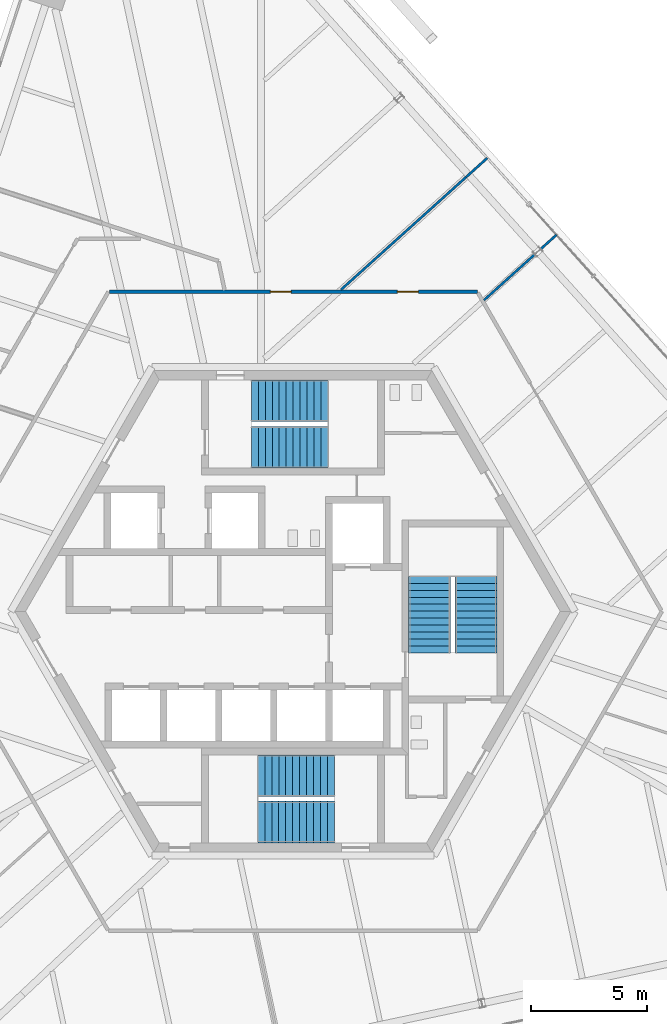
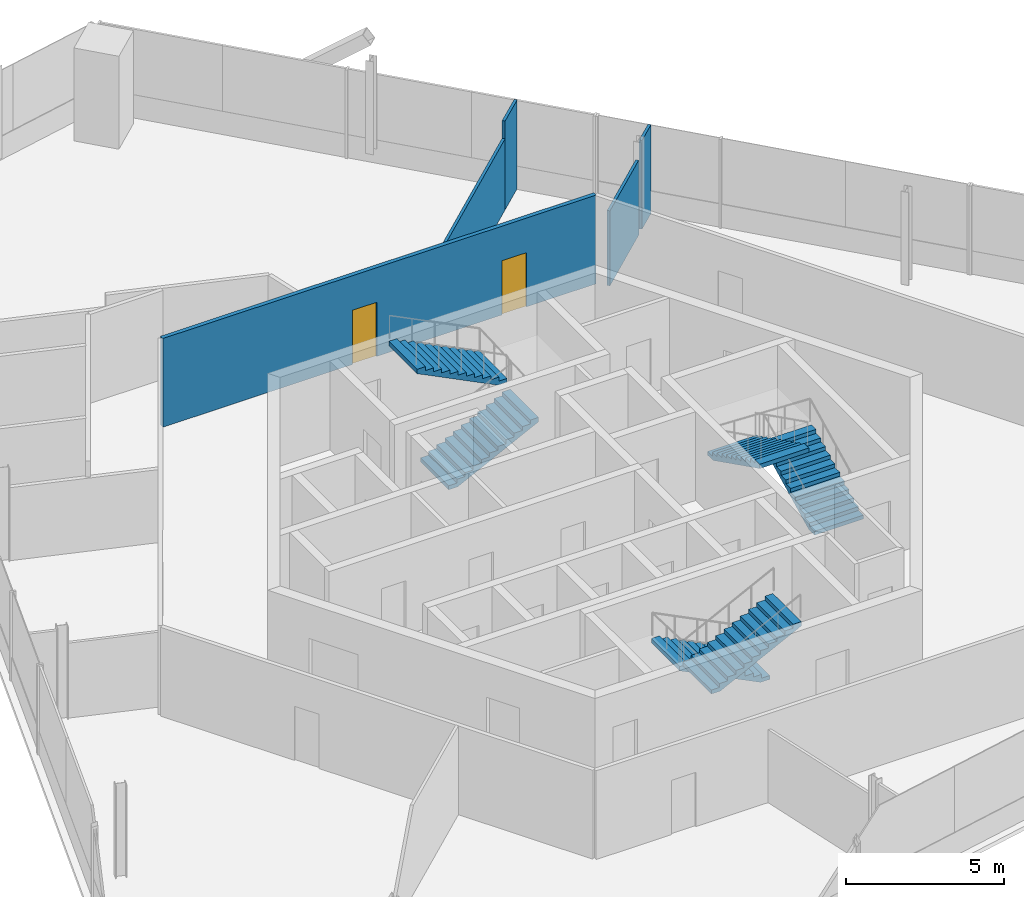
# One storey, part 12 of 14: 6 stair flights, 5 walls, 2 doors, 2 openings, 3 elements without a shape of their own.
"""IFC4 building model written with IfcOpenShell, lengths in metres."""

from ifc_helpers import new_model, si_unit, direction, frame, frame_2d, origin, place, context, subcontext, project, spatial, polyline, rectangle, outline, extrude, source, transform, mapped, material, layer, layer_set, type_object, element, fill, aggregate, save


model = new_model("IFC4")

# Units and contexts
model_context = context("Model", 3, precision=1e-05, world=origin(), true_north=direction((0.0, 1.0)))
body_context = subcontext(model_context, "Body", "Model", "MODEL_VIEW")
ifc_project = project(units=[si_unit("LENGTHUNIT", "METRE"), si_unit("AREAUNIT", "SQUARE_METRE"), si_unit("VOLUMEUNIT", "CUBIC_METRE"), si_unit("PLANEANGLEUNIT", "RADIAN"), si_unit("MASSUNIT", "GRAM", prefix="KILO")], contexts=[model_context])

# Site, building, storey
site_placement = place(None, origin())
site = spatial("IfcSite", under=ifc_project, at=site_placement, CompositionType="ELEMENT")
building_placement = place(site_placement, origin())
building = spatial("IfcBuilding", under=site, at=building_placement, Name="Triune Harvest Tower", CompositionType="ELEMENT")
storey_placement = place(building_placement, frame((0.0, 0.0, 263.10009765625)))
storey = spatial("IfcBuildingStorey", under=building, at=storey_placement, Name="L69", CompositionType="ELEMENT", Elevation=263.10009765625)

# Walls
ifc_material_1 = material(Name="Gypsum board on steel studs", Category="steel")
ifc_layer_1 = layer(ifc_material_1, 0.10009765625)
ifc_layer_set_1 = layer_set([ifc_layer_1], Name="Gypsum board on steel studs")
wall_type_1 = type_object("IfcWallType", Name="Partition 100 mm", PredefinedType="PARTITIONING", material=ifc_layer_set_1)
wall_1_placement = place(storey_placement, frame((2.079345703125, 13.885986328125, 0.0), z_axis=(0.0, 0.0, 1.0), x_axis=(0.743153575568, 0.669120888271, 0.0)))
element("IfcWall", 1, at=wall_1_placement, inside=storey, type_object=wall_type_1, Name="Partition L69 026", PredefinedType="PARTITIONING", context=body_context, shape_type="SweptSolid", body=[
    extrude(rectangle(XDim=7.255126953125, YDim=0.10009765625, at=frame_2d((3.62744140625, 0.0))), origin(), (0.0, 0.0, 1.0), 2.756591796875),
])
wall_2_placement = place(storey_placement, frame((7.470947265625, 18.740478515625, 0.0), z_axis=(0.0, 0.0, 1.0), x_axis=(0.743107847291, 0.669171672514, 0.0)))
element("IfcWall", 2, at=wall_2_placement, inside=storey, type_object=wall_type_1, Name="Partition L69 026a", PredefinedType="PARTITIONING", context=body_context, shape_type="SweptSolid", body=[
    extrude(rectangle(XDim=1.23828125, YDim=0.10009765625, at=frame_2d((0.619140625, 0.0))), origin(), (0.0, 0.0, 1.0), 3.43994140625),
])

# Wall, openings, doors
ifc_material_2 = material(Name="Gypsum board on steel studs", Category="steel")
ifc_layer_2 = layer(ifc_material_2, 0.14990234375)
ifc_layer_set_2 = layer_set([ifc_layer_2], Name="Gypsum board on steel studs")
wall_type_2 = type_object("IfcWallType", Name="Fire Partition 150 mm", PredefinedType="PARTITIONING", material=ifc_layer_set_2)
shared_shape_1 = source(origin(), body_context, "Body", "SweptSolid", [
    extrude(rectangle(XDim=15.8759765625, YDim=0.14990234375, at=frame_2d((7.93798828125, 0.0))), origin(), (0.0, 0.0, 1.0), 3.43994140625),
])
wall_3_placement = place(storey_placement, frame((-7.9130859375, 13.792236328125, 0.0), z_axis=(0.0, 0.0, 1.0), x_axis=(1.0, 0.0, 0.0)))
wall_3 = element("IfcWall", 3, at=wall_3_placement, inside=storey, type_object=wall_type_2, Name="Partition L69 018", PredefinedType="PARTITIONING", context=body_context, shape_type="MappedRepresentation", body=[
    mapped(shared_shape_1, transform((0.0, 0.0, 0.0), scale=1.0)),
])
opening_1_placement = place(wall_3_placement, frame((6.938232421875, 0.0, 0.0)))
opening_1 = element("IfcOpeningElement", 4, at=opening_1_placement, cuts=wall_3, Name="Opening L69-002", PredefinedType="OPENING", context=body_context, shape_type="SweptSolid", body=[
    extrude(rectangle(XDim=0.89990234375, YDim=2.10009765625, at=frame_2d((0.449951171875, 1.050048828125))), frame((0.0, 0.0849609375, 0.0), z_axis=(0.0, -1.0, 0.0), x_axis=(1.0, 0.0, 0.0)), (0.0, 0.0, 1.0), 0.169921875),
])
opening_2_placement = place(wall_3_placement, frame((12.426025390625, 0.0, 0.0)))
opening_2 = element("IfcOpeningElement", 5, at=opening_2_placement, cuts=wall_3, Name="Opening L69-003", PredefinedType="OPENING", context=body_context, shape_type="SweptSolid", body=[
    extrude(rectangle(XDim=0.89990234375, YDim=2.10009765625, at=frame_2d((0.449951171875, 1.050048828125))), frame((0.0, 0.0849609375, 0.0), z_axis=(0.0, -1.0, 0.0), x_axis=(1.0, 0.0, 0.0)), (0.0, 0.0, 1.0), 0.169921875),
])
ifc_material_3 = material(Name="Timber and steel door set", Category="steel")
door_type_1 = type_object("IfcDoorType", Name="Single leaf door FD30 left hand 900 x 2100", OperationType="SINGLE_SWING_LEFT", PredefinedType="DOOR", material=ifc_material_3)
door_1_placement = place(opening_1_placement, origin())
door_1 = element("IfcDoor", 6, at=door_1_placement, inside=storey, type_object=door_type_1, Name="Door L69-002 Open Office 69.02", OperationType="SINGLE_SWING_LEFT", OverallHeight=2.10009765625, OverallWidth=0.89990234375, PredefinedType="DOOR", context=body_context, shape_type="SweptSolid", body=[
    extrude(rectangle(XDim=0.89990234375, YDim=2.10009765625, at=frame_2d((0.449951171875, 1.050048828125))), frame((0.0, 0.02490234375, 0.0), z_axis=(0.0, -1.0, 0.0), x_axis=(1.0, 0.0, 0.0)), (0.0, 0.0, 1.0), 0.050048828125),
])
fill(opening_1, door_1)
ifc_material_4 = material(Name="Timber and steel door set", Category="steel")
door_type_2 = type_object("IfcDoorType", Name="Single leaf door FD30 right hand 900 x 2100", OperationType="SINGLE_SWING_RIGHT", PredefinedType="DOOR", material=ifc_material_4)
door_2_placement = place(opening_2_placement, origin())
door_2 = element("IfcDoor", 7, at=door_2_placement, inside=storey, type_object=door_type_2, Name="Door L69-003 Pantry 69.03", OperationType="SINGLE_SWING_RIGHT", OverallHeight=2.10009765625, OverallWidth=0.89990234375, PredefinedType="DOOR", context=body_context, shape_type="SweptSolid", body=[
    extrude(rectangle(XDim=0.89990234375, YDim=2.10009765625, at=frame_2d((0.449951171875, 1.050048828125))), frame((0.0, 0.02490234375, 0.0), z_axis=(0.0, -1.0, 0.0), x_axis=(1.0, 0.0, 0.0)), (0.0, 0.0, 1.0), 0.050048828125),
])
fill(opening_2, door_2)

# Walls
shared_shape_2 = source(origin(), body_context, "Body", "SweptSolid", [
    extrude(rectangle(XDim=0.915283203125, YDim=0.10009765625, at=frame_2d((0.45751953125, 0.0))), origin(), (0.0, 0.0, 1.0), 3.43994140625),
])
wall_4_placement = place(storey_placement, frame((10.69775390625, 15.63916015625, 0.0), z_axis=(0.0, 0.0, 1.0), x_axis=(0.743081911728, 0.669200472551, 0.0)))
element("IfcWall", 8, at=wall_4_placement, inside=storey, type_object=wall_type_1, Name="Partition L69 025", PredefinedType="PARTITIONING", context=body_context, shape_type="MappedRepresentation", body=[
    mapped(shared_shape_2, transform((0.0, 0.0, 0.0), scale=1.0)),
])
shared_shape_3 = source(origin(), body_context, "Body", "SweptSolid", [
    extrude(rectangle(XDim=2.95458984375, YDim=0.10009765625, at=frame_2d((1.477294921875, 0.0))), origin(), (0.0, 0.0, 1.0), 2.90380859375),
])
wall_5_placement = place(storey_placement, frame((8.248779296875, 13.43408203125, 0.0), z_axis=(0.0, 0.0, 1.0), x_axis=(0.743154438843, 0.669119929481, 0.0)))
element("IfcWall", 9, at=wall_5_placement, inside=storey, type_object=wall_type_1, Name="Partition L69 024", PredefinedType="PARTITIONING", context=body_context, shape_type="MappedRepresentation", body=[
    mapped(shared_shape_3, transform((0.0, 0.0, 0.0), scale=1.0)),
])

# Stair, stair flights
ifc_material_5 = material(Name="Concrete 40 MPa", Category="concrete")
stair_type = type_object("IfcStairType", Name="Exit stair 1800 half turn", PredefinedType="HALF_TURN_STAIR", material=ifc_material_5)
stair_1_placement = place(storey_placement, origin())
stair_1 = element("IfcStair", 10, at=stair_1_placement, inside=storey, type_object=stair_type, Name="Exit stair north", PredefinedType="HALF_TURN_STAIR")
ifc_material_6 = material(Name="Concrete 40 MPa", Category="concrete")
stair_flight_type = type_object("IfcStairFlightType", Name="Stair flight 1800", PredefinedType="STRAIGHT", material=ifc_material_6)
shared_shape_4 = source(origin(), body_context, "Body", "SweptSolid", [
    extrude(outline(polyline([(0.0, 0.0), (0.0, 0.14990234375), (0.300048828125, 0.14990234375), (0.300048828125, 0.300048828125), (0.60009765625, 0.300048828125), (0.60009765625, 0.449951171875), (0.89990234375, 0.449951171875), (0.89990234375, 0.60009765625), (1.199951171875, 0.60009765625), (1.199951171875, 0.75), (1.5, 0.75), (1.5, 0.89990234375), (1.800048828125, 0.89990234375), (1.800048828125, 1.050048828125), (2.10009765625, 1.050048828125), (2.10009765625, 1.199951171875), (2.39990234375, 1.199951171875), (2.39990234375, 1.35009765625), (2.699951171875, 1.35009765625), (2.699951171875, 1.5), (3.0, 1.5), (3.0, 1.64990234375), (3.300048828125, 1.64990234375), (3.300048828125, 1.800048828125), (3.300048828125, 1.482421875), (0.335205078125, 0.0), (0.0, 0.0)])), frame((0.0, 0.89990234375, 0.0), z_axis=(0.0, -1.0, 0.0), x_axis=(1.0, 0.0, 0.0)), (0.0, 0.0, 1.0), 1.800048828125),
])
stair_flight_1_placement = place(storey_placement, frame((-1.7900390625, 7.090087890625, 0.0), z_axis=(0.0, 0.0, 1.0), x_axis=(1.0, 0.0, 0.0)))
stair_flight_1 = element("IfcStairFlight", 11, at=stair_flight_1_placement, type_object=stair_flight_type, Name="ST-1 flight 1", NumberOfRisers=12, NumberOfTreads=11, PredefinedType="STRAIGHT", RiserHeight=0.15, TreadLength=0.3, context=body_context, shape_type="MappedRepresentation", body=[
    mapped(shared_shape_4, transform((0.0, 0.0, 0.0), scale=1.0)),
])
stair_flight_2_placement = place(storey_placement, frame((1.510009765625, 9.090087890625, 1.7998046875), z_axis=(0.0, 0.0, 1.0), x_axis=(-1.0, 0.0, 0.0)))
stair_flight_2 = element("IfcStairFlight", 12, at=stair_flight_2_placement, type_object=stair_flight_type, Name="ST-1 flight 2", NumberOfRisers=12, NumberOfTreads=11, PredefinedType="STRAIGHT", RiserHeight=0.15, TreadLength=0.3, context=body_context, shape_type="MappedRepresentation", body=[
    mapped(shared_shape_4, transform((0.0, 0.0, 0.0), scale=1.0)),
])
aggregate(stair_1, [stair_flight_1, stair_flight_2])

stair_2_placement = place(storey_placement, origin())
stair_2 = element("IfcStair", 13, at=stair_2_placement, inside=storey, type_object=stair_type, Name="Exit stair south", PredefinedType="HALF_TURN_STAIR")
stair_flight_3_placement = place(storey_placement, frame((1.7900390625, -7.090087890625, 0.0), z_axis=(0.0, 0.0, 1.0), x_axis=(-1.0, 0.0, 0.0)))
stair_flight_3 = element("IfcStairFlight", 14, at=stair_flight_3_placement, type_object=stair_flight_type, Name="ST-2 flight 1", NumberOfRisers=12, NumberOfTreads=11, PredefinedType="STRAIGHT", RiserHeight=0.15, TreadLength=0.3, context=body_context, shape_type="MappedRepresentation", body=[
    mapped(shared_shape_4, transform((0.0, 0.0, 0.0), scale=1.0)),
])
stair_flight_4_placement = place(storey_placement, frame((-1.510009765625, -9.090087890625, 1.7998046875), z_axis=(0.0, 0.0, 1.0), x_axis=(1.0, 0.0, 0.0)))
stair_flight_4 = element("IfcStairFlight", 15, at=stair_flight_4_placement, type_object=stair_flight_type, Name="ST-2 flight 2", NumberOfRisers=12, NumberOfTreads=11, PredefinedType="STRAIGHT", RiserHeight=0.15, TreadLength=0.3, context=body_context, shape_type="MappedRepresentation", body=[
    mapped(shared_shape_4, transform((0.0, 0.0, 0.0), scale=1.0)),
])
aggregate(stair_2, [stair_flight_3, stair_flight_4])

stair_3_placement = place(storey_placement, origin())
stair_3 = element("IfcStair", 16, at=stair_3_placement, inside=storey, type_object=stair_type, Name="Exit stair east", PredefinedType="HALF_TURN_STAIR")
stair_flight_5_placement = place(storey_placement, frame((7.89990234375, -1.7900390625, 0.0), z_axis=(0.0, 0.0, 1.0), x_axis=(0.0, 1.0, 0.0)))
stair_flight_5 = element("IfcStairFlight", 17, at=stair_flight_5_placement, type_object=stair_flight_type, Name="ST-3 flight 1", NumberOfRisers=12, NumberOfTreads=11, PredefinedType="STRAIGHT", RiserHeight=0.15, TreadLength=0.3, context=body_context, shape_type="MappedRepresentation", body=[
    mapped(shared_shape_4, transform((0.0, 0.0, 0.0), scale=1.0)),
])
stair_flight_6_placement = place(storey_placement, frame((5.89990234375, 1.510009765625, 1.7998046875), z_axis=(0.0, 0.0, 1.0), x_axis=(0.0, -1.0, 0.0)))
stair_flight_6 = element("IfcStairFlight", 18, at=stair_flight_6_placement, type_object=stair_flight_type, Name="ST-3 flight 2", NumberOfRisers=12, NumberOfTreads=11, PredefinedType="STRAIGHT", RiserHeight=0.15, TreadLength=0.3, context=body_context, shape_type="MappedRepresentation", body=[
    mapped(shared_shape_4, transform((0.0, 0.0, 0.0), scale=1.0)),
])
aggregate(stair_3, [stair_flight_5, stair_flight_6])

save(model, "model.ifc")
